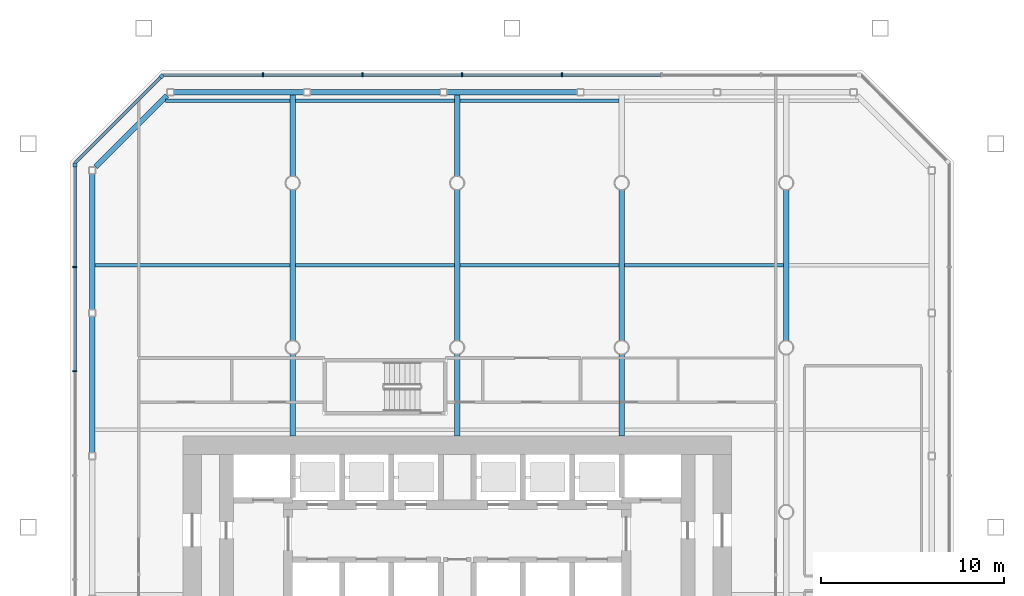
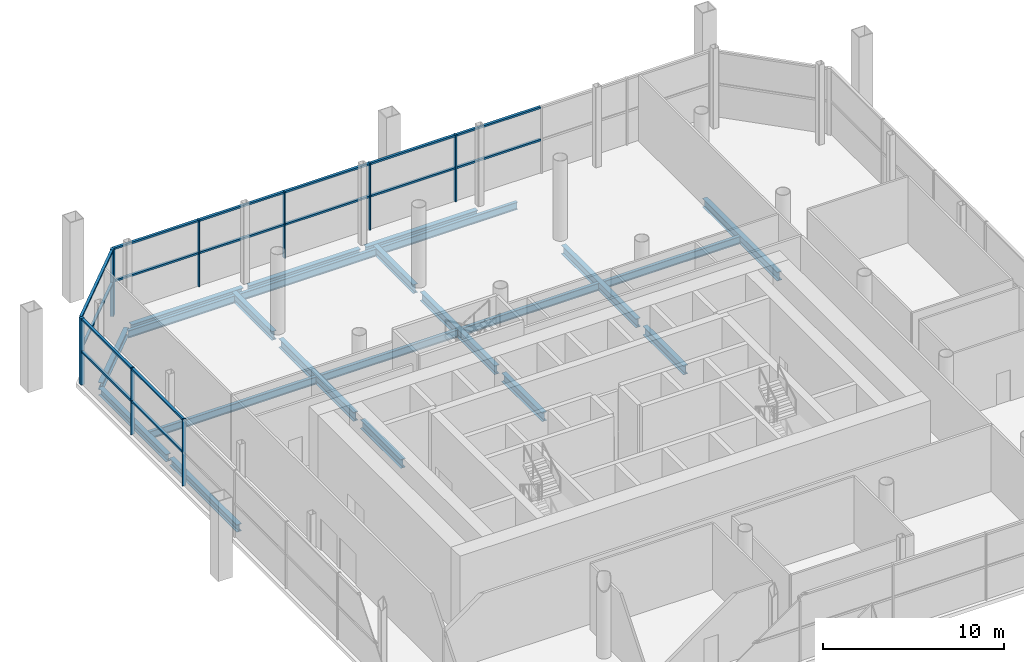
# One storey, part 5 of 13: 24 members, 22 beams, 3 elements without a shape of their own.
"""IFC4 building model written with IfcOpenShell, lengths in metres."""

from ifc_helpers import new_model, si_unit, direction, frame, origin, origin_2d, place, context, subcontext, project, spatial, rectangle, i_section, extrude, material, material_profile, profile_set, type_object, element, aggregate, save


model = new_model("IFC4")

# Units and contexts
model_context = context("Model", 3, precision=1e-05, world=origin(), true_north=direction((0.0, 1.0)))
body_context = subcontext(model_context, "Body", "Model", "MODEL_VIEW")
ifc_project = project(units=[si_unit("LENGTHUNIT", "METRE"), si_unit("AREAUNIT", "SQUARE_METRE"), si_unit("VOLUMEUNIT", "CUBIC_METRE"), si_unit("PLANEANGLEUNIT", "RADIAN"), si_unit("MASSUNIT", "GRAM", prefix="KILO")], contexts=[model_context])

# Site, building, storey
site_placement = place(None, origin())
site = spatial("IfcSite", under=ifc_project, at=site_placement, CompositionType="ELEMENT")
building_placement = place(site_placement, origin())
building = spatial("IfcBuilding", under=site, at=building_placement, Name="Tskaro Facet Tower", CompositionType="ELEMENT")
storey_placement = place(building_placement, frame((0.0, 0.0, 108.89990234375)))
storey = spatial("IfcBuildingStorey", under=building, at=storey_placement, Name="L26", CompositionType="ELEMENT", Elevation=108.89990234375)

# Curtain wall, member
ifc_material_1 = material(Name="Bronze anodised aluminium 6063-T6", Category="aluminium")
curtain_wall_type = type_object("IfcCurtainWallType", Name="Bronze sky lobby curtain wall (FW4)", PredefinedType="NOTDEFINED", material=ifc_material_1)
curtain_wall_1_placement = place(storey_placement, origin())
curtain_wall_1 = element("IfcCurtainWall", 1, at=curtain_wall_1_placement, inside=storey, type_object=curtain_wall_type, Name="FW4 north-west facet L26", PredefinedType="NOTDEFINED")
ifc_material_profile_1 = material_profile(ifc_material_1, rectangle(XDim=0.219970703125, YDim=0.219970703125, at=origin_2d()), Name="Corner post 220x220")
ifc_profile_set_1 = profile_set([ifc_material_profile_1], Name="Bronze anodised aluminium 6063-T6")
member_type_1 = type_object("IfcMemberType", Name="FW4 bronze corner post 220x220", PredefinedType="MULLION", material=ifc_profile_set_1)
member_1_placement = place(storey_placement, frame((-16.160888671875, 23.837158203125, 0.0), z_axis=(0.0, 0.0, 1.0), x_axis=(-0.707106781187, -0.707106781187, 0.0)))
member_1 = element("IfcMember", 2, at=member_1_placement, type_object=member_type_1, Name="FW4 north-west corner post", PredefinedType="MULLION", context=body_context, shape_type="SweptSolid", body=[
    extrude(rectangle(XDim=0.219970703125, YDim=0.219970703125, at=origin_2d()), origin(), (0.0, 0.0, 1.0), 4.489990234375),
])

curtain_wall_2_placement = place(storey_placement, origin())
curtain_wall_2 = element("IfcCurtainWall", 3, at=curtain_wall_2_placement, inside=storey, type_object=curtain_wall_type, Name="FW4 west facet L26", PredefinedType="NOTDEFINED")
member_2_placement = place(storey_placement, frame((-20.9150390625, 18.972900390625, 0.0), z_axis=(0.0, 0.0, 1.0), x_axis=(0.0, -1.0, 0.0)))
member_2 = element("IfcMember", 4, at=member_2_placement, type_object=member_type_1, Name="FW4 west corner post", PredefinedType="MULLION", context=body_context, shape_type="SweptSolid", body=[
    extrude(rectangle(XDim=0.219970703125, YDim=0.219970703125, at=origin_2d()), origin(), (0.0, 0.0, 1.0), 4.489990234375),
])

# Curtain wall, members
curtain_wall_3_placement = place(storey_placement, origin())
curtain_wall_3 = element("IfcCurtainWall", 5, at=curtain_wall_3_placement, inside=storey, type_object=curtain_wall_type, Name="FW4 north facet L26", PredefinedType="NOTDEFINED")
ifc_material_profile_2 = material_profile(ifc_material_1, rectangle(XDim=0.080078125, YDim=0.219970703125, at=origin_2d()), Name="Mullion 80x220")
ifc_profile_set_2 = profile_set([ifc_material_profile_2], Name="Bronze anodised aluminium 6063-T6")
member_type_2 = type_object("IfcMemberType", Name="FW4 bronze mullion 80x220", PredefinedType="MULLION", material=ifc_profile_set_2)
member_3_placement = place(storey_placement, frame((5.72607421875, 23.9150390625, 0.0), z_axis=(0.0, 0.0, 1.0), x_axis=(-1.0, 0.0, 0.0)))
member_3 = element("IfcMember", 6, at=member_3_placement, type_object=member_type_2, Name="FW4 north mullion 3", PredefinedType="MULLION", context=body_context, shape_type="SweptSolid", body=[
    extrude(rectangle(XDim=0.080078125, YDim=0.219970703125, at=origin_2d()), origin(), (0.0, 0.0, 1.0), 4.489990234375),
])
member_4_placement = place(storey_placement, frame((0.27392578125, 23.9150390625, 0.0), z_axis=(0.0, 0.0, 1.0), x_axis=(-1.0, 0.0, 0.0)))
member_4 = element("IfcMember", 7, at=member_4_placement, type_object=member_type_2, Name="FW4 north mullion 4", PredefinedType="MULLION", context=body_context, shape_type="SweptSolid", body=[
    extrude(rectangle(XDim=0.080078125, YDim=0.219970703125, at=origin_2d()), origin(), (0.0, 0.0, 1.0), 4.489990234375),
])
member_5_placement = place(storey_placement, frame((-5.178466796875, 23.9150390625, 0.0), z_axis=(0.0, 0.0, 1.0), x_axis=(-1.0, 0.0, 0.0)))
member_5 = element("IfcMember", 8, at=member_5_placement, type_object=member_type_2, Name="FW4 north mullion 5", PredefinedType="MULLION", context=body_context, shape_type="SweptSolid", body=[
    extrude(rectangle(XDim=0.080078125, YDim=0.219970703125, at=origin_2d()), origin(), (0.0, 0.0, 1.0), 4.489990234375),
])
member_6_placement = place(storey_placement, frame((-10.630615234375, 23.9150390625, 0.0), z_axis=(0.0, 0.0, 1.0), x_axis=(-1.0, 0.0, 0.0)))
member_6 = element("IfcMember", 9, at=member_6_placement, type_object=member_type_2, Name="FW4 north mullion 6", PredefinedType="MULLION", context=body_context, shape_type="SweptSolid", body=[
    extrude(rectangle(XDim=0.080078125, YDim=0.219970703125, at=origin_2d()), origin(), (0.0, 0.0, 1.0), 4.489990234375),
])

# Member
member_7_placement = place(storey_placement, frame((-20.9150390625, 13.3916015625, 0.0), z_axis=(0.0, 0.0, 1.0), x_axis=(0.0, -1.0, 0.0)))
member_7 = element("IfcMember", 10, at=member_7_placement, type_object=member_type_2, Name="FW4 west mullion 1", PredefinedType="MULLION", context=body_context, shape_type="SweptSolid", body=[
    extrude(rectangle(XDim=0.080078125, YDim=0.219970703125, at=origin_2d()), origin(), (0.0, 0.0, 1.0), 4.489990234375),
])

member_8_placement = place(storey_placement, frame((-20.9150390625, 7.7001953125, 0.0), z_axis=(0.0, 0.0, 1.0), x_axis=(0.0, -1.0, 0.0)))
member_8 = element("IfcMember", 11, at=member_8_placement, type_object=member_type_2, Name="FW4 west mullion 2", PredefinedType="MULLION", context=body_context, shape_type="SweptSolid", body=[
    extrude(rectangle(XDim=0.080078125, YDim=0.219970703125, at=origin_2d()), origin(), (0.0, 0.0, 1.0), 4.489990234375),
])

ifc_material_profile_3 = material_profile(ifc_material_1, rectangle(XDim=0.159912109375, YDim=0.1201171875, at=origin_2d()), Name="Transom 160x120")
ifc_profile_set_3 = profile_set([ifc_material_profile_3], Name="Bronze anodised aluminium 6063-T6")
member_type_3 = type_object("IfcMemberType", Name="FW4 bronze transom 160x120", PredefinedType="USERDEFINED", material=ifc_profile_set_3)
member_9_placement = place(storey_placement, frame((11.138427734375, 23.9150390625, 2.2451171875), z_axis=(-1.0, 0.0, 0.0), x_axis=(0.0, -1.0, 0.0)))
member_9 = element("IfcMember", 12, at=member_9_placement, type_object=member_type_3, Name="FW4 north transom 3.1", ObjectType="TRANSOM", PredefinedType="USERDEFINED", context=body_context, shape_type="SweptSolid", body=[
    extrude(rectangle(XDim=0.159912109375, YDim=0.1201171875, at=origin_2d()), origin(), (0.0, 0.0, 1.0), 5.372314453125),
])

member_10_placement = place(storey_placement, frame((11.138427734375, 23.9150390625, 4.43017578125), z_axis=(-1.0, 0.0, 0.0), x_axis=(0.0, -1.0, 0.0)))
member_10 = element("IfcMember", 13, at=member_10_placement, type_object=member_type_3, Name="FW4 north transom 3.2", ObjectType="TRANSOM", PredefinedType="USERDEFINED", context=body_context, shape_type="SweptSolid", body=[
    extrude(rectangle(XDim=0.159912109375, YDim=0.1201171875, at=origin_2d()), origin(), (0.0, 0.0, 1.0), 5.372314453125),
])

member_11_placement = place(storey_placement, frame((5.68603515625, 23.9150390625, 2.2451171875), z_axis=(-1.0, 0.0, 0.0), x_axis=(0.0, -1.0, 0.0)))
member_11 = element("IfcMember", 14, at=member_11_placement, type_object=member_type_3, Name="FW4 north transom 4.1", ObjectType="TRANSOM", PredefinedType="USERDEFINED", context=body_context, shape_type="SweptSolid", body=[
    extrude(rectangle(XDim=0.159912109375, YDim=0.1201171875, at=origin_2d()), origin(), (0.0, 0.0, 1.0), 5.3720703125),
])

member_12_placement = place(storey_placement, frame((5.68603515625, 23.9150390625, 4.43017578125), z_axis=(-1.0, 0.0, 0.0), x_axis=(0.0, -1.0, 0.0)))
member_12 = element("IfcMember", 15, at=member_12_placement, type_object=member_type_3, Name="FW4 north transom 4.2", ObjectType="TRANSOM", PredefinedType="USERDEFINED", context=body_context, shape_type="SweptSolid", body=[
    extrude(rectangle(XDim=0.159912109375, YDim=0.1201171875, at=origin_2d()), origin(), (0.0, 0.0, 1.0), 5.3720703125),
])

member_13_placement = place(storey_placement, frame((0.23388671875, 23.9150390625, 2.2451171875), z_axis=(-1.0, 0.0, 0.0), x_axis=(0.0, -1.0, 0.0)))
member_13 = element("IfcMember", 16, at=member_13_placement, type_object=member_type_3, Name="FW4 north transom 5.1", ObjectType="TRANSOM", PredefinedType="USERDEFINED", context=body_context, shape_type="SweptSolid", body=[
    extrude(rectangle(XDim=0.159912109375, YDim=0.1201171875, at=origin_2d()), origin(), (0.0, 0.0, 1.0), 5.372314453125),
])

member_14_placement = place(storey_placement, frame((0.23388671875, 23.9150390625, 4.43017578125), z_axis=(-1.0, 0.0, 0.0), x_axis=(0.0, -1.0, 0.0)))
member_14 = element("IfcMember", 17, at=member_14_placement, type_object=member_type_3, Name="FW4 north transom 5.2", ObjectType="TRANSOM", PredefinedType="USERDEFINED", context=body_context, shape_type="SweptSolid", body=[
    extrude(rectangle(XDim=0.159912109375, YDim=0.1201171875, at=origin_2d()), origin(), (0.0, 0.0, 1.0), 5.372314453125),
])

member_15_placement = place(storey_placement, frame((-5.218505859375, 23.9150390625, 2.2451171875), z_axis=(-1.0, 0.0, 0.0), x_axis=(0.0, -1.0, 0.0)))
member_15 = element("IfcMember", 18, at=member_15_placement, type_object=member_type_3, Name="FW4 north transom 6.1", ObjectType="TRANSOM", PredefinedType="USERDEFINED", context=body_context, shape_type="SweptSolid", body=[
    extrude(rectangle(XDim=0.159912109375, YDim=0.1201171875, at=origin_2d()), origin(), (0.0, 0.0, 1.0), 5.372314453125),
])

member_16_placement = place(storey_placement, frame((-5.218505859375, 23.9150390625, 4.43017578125), z_axis=(-1.0, 0.0, 0.0), x_axis=(0.0, -1.0, 0.0)))
member_16 = element("IfcMember", 19, at=member_16_placement, type_object=member_type_3, Name="FW4 north transom 6.2", ObjectType="TRANSOM", PredefinedType="USERDEFINED", context=body_context, shape_type="SweptSolid", body=[
    extrude(rectangle(XDim=0.159912109375, YDim=0.1201171875, at=origin_2d()), origin(), (0.0, 0.0, 1.0), 5.372314453125),
])

member_17_placement = place(storey_placement, frame((-10.670654296875, 23.9150390625, 2.2451171875), z_axis=(-1.0, 0.0, 0.0), x_axis=(0.0, -1.0, 0.0)))
member_17 = element("IfcMember", 20, at=member_17_placement, type_object=member_type_3, Name="FW4 north transom 7.1", ObjectType="TRANSOM", PredefinedType="USERDEFINED", context=body_context, shape_type="SweptSolid", body=[
    extrude(rectangle(XDim=0.159912109375, YDim=0.1201171875, at=origin_2d()), origin(), (0.0, 0.0, 1.0), 5.412353515625),
])

member_18_placement = place(storey_placement, frame((-10.670654296875, 23.9150390625, 4.43017578125), z_axis=(-1.0, 0.0, 0.0), x_axis=(0.0, -1.0, 0.0)))
member_18 = element("IfcMember", 21, at=member_18_placement, type_object=member_type_3, Name="FW4 north transom 7.2", ObjectType="TRANSOM", PredefinedType="USERDEFINED", context=body_context, shape_type="SweptSolid", body=[
    extrude(rectangle(XDim=0.159912109375, YDim=0.1201171875, at=origin_2d()), origin(), (0.0, 0.0, 1.0), 5.412353515625),
])

aggregate(curtain_wall_3, [member_3, member_4, member_5, member_6, member_9, member_10, member_11, member_12, member_13, member_14, member_15, member_16, member_17, member_18])

member_19_placement = place(storey_placement, frame((-16.238525390625, 23.759521484375, 2.2451171875), z_axis=(-0.707106781187, -0.707106781187, 0.0), x_axis=(0.707106781187, -0.707106781187, 0.0)))
member_19 = element("IfcMember", 22, at=member_19_placement, type_object=member_type_3, Name="FW4 north-west transom 1.1", ObjectType="TRANSOM", PredefinedType="USERDEFINED", context=body_context, shape_type="SweptSolid", body=[
    extrude(rectangle(XDim=0.159912109375, YDim=0.1201171875, at=origin_2d()), origin(), (0.0, 0.0, 1.0), 6.613525390625),
])

member_20_placement = place(storey_placement, frame((-16.238525390625, 23.759521484375, 4.43017578125), z_axis=(-0.707106781187, -0.707106781187, 0.0), x_axis=(0.707106781187, -0.707106781187, 0.0)))
member_20 = element("IfcMember", 23, at=member_20_placement, type_object=member_type_3, Name="FW4 north-west transom 1.2", ObjectType="TRANSOM", PredefinedType="USERDEFINED", context=body_context, shape_type="SweptSolid", body=[
    extrude(rectangle(XDim=0.159912109375, YDim=0.1201171875, at=origin_2d()), origin(), (0.0, 0.0, 1.0), 6.613525390625),
])

aggregate(curtain_wall_1, [member_1, member_19, member_20])

member_21_placement = place(storey_placement, frame((-20.9150390625, 18.863037109375, 2.2451171875), z_axis=(0.0, -1.0, 0.0), x_axis=(1.0, 0.0, 0.0)))
member_21 = element("IfcMember", 24, at=member_21_placement, type_object=member_type_3, Name="FW4 west transom 1.1", ObjectType="TRANSOM", PredefinedType="USERDEFINED", context=body_context, shape_type="SweptSolid", body=[
    extrude(rectangle(XDim=0.159912109375, YDim=0.1201171875, at=origin_2d()), origin(), (0.0, 0.0, 1.0), 5.431396484375),
])

member_22_placement = place(storey_placement, frame((-20.9150390625, 18.863037109375, 4.43017578125), z_axis=(0.0, -1.0, 0.0), x_axis=(1.0, 0.0, 0.0)))
member_22 = element("IfcMember", 25, at=member_22_placement, type_object=member_type_3, Name="FW4 west transom 1.2", ObjectType="TRANSOM", PredefinedType="USERDEFINED", context=body_context, shape_type="SweptSolid", body=[
    extrude(rectangle(XDim=0.159912109375, YDim=0.1201171875, at=origin_2d()), origin(), (0.0, 0.0, 1.0), 5.431396484375),
])

member_23_placement = place(storey_placement, frame((-20.9150390625, 13.3515625, 2.2451171875), z_axis=(0.0, -1.0, 0.0), x_axis=(1.0, 0.0, 0.0)))
member_23 = element("IfcMember", 26, at=member_23_placement, type_object=member_type_3, Name="FW4 west transom 2.1", ObjectType="TRANSOM", PredefinedType="USERDEFINED", context=body_context, shape_type="SweptSolid", body=[
    extrude(rectangle(XDim=0.159912109375, YDim=0.1201171875, at=origin_2d()), origin(), (0.0, 0.0, 1.0), 5.611328125),
])

member_24_placement = place(storey_placement, frame((-20.9150390625, 13.3515625, 4.43017578125), z_axis=(0.0, -1.0, 0.0), x_axis=(1.0, 0.0, 0.0)))
member_24 = element("IfcMember", 27, at=member_24_placement, type_object=member_type_3, Name="FW4 west transom 2.2", ObjectType="TRANSOM", PredefinedType="USERDEFINED", context=body_context, shape_type="SweptSolid", body=[
    extrude(rectangle(XDim=0.159912109375, YDim=0.1201171875, at=origin_2d()), origin(), (0.0, 0.0, 1.0), 5.611328125),
])

aggregate(curtain_wall_2, [member_2, member_7, member_8, member_21, member_22, member_23, member_24])

# Beams
ifc_material_2 = material(Name="Steel S355J2", Category="steel")
ifc_material_profile_4 = material_profile(ifc_material_2, i_section(OverallWidth=0.300048828125, OverallDepth=0.5, WebThickness=0.014404296875, FlangeThickness=0.028076171875, FilletRadius=0.027099609375, at=origin_2d()), Name="HE 500 B")
ifc_profile_set_4 = profile_set([ifc_material_profile_4], Name="Steel S355J2")
beam_type_1 = type_object("IfcBeamType", Name="HE 500 B ring beam", PredefinedType="BEAM", material=ifc_profile_set_4)
beam_1_placement = place(storey_placement, frame((6.55810546875, 22.965087890625, -0.5), z_axis=(-1.0, 0.0, 0.0), x_axis=(0.0, -1.0, 0.0)))
element("IfcBeam", 28, at=beam_1_placement, inside=storey, type_object=beam_type_1, Name="HE 500 B EB15-2", PredefinedType="BEAM", context=body_context, shape_type="SweptSolid", body=[
    extrude(i_section(OverallWidth=0.300048828125, OverallDepth=0.5, WebThickness=0.014404296875, FlangeThickness=0.028076171875, FilletRadius=0.027099609375, at=origin_2d()), origin(), (0.0, 0.0, 1.0), 7.1162109375),
])
for number, where, z_axis, x_axis, name in (
    (29, (-0.91796875, 22.965087890625, -0.5), (-1.0, 0.0, 0.0), (0.0, -1.0, 0.0), "HE 500 B EB16-2"),
    (30, (-8.39404296875, 22.965087890625, -0.5), (-1.0, 0.0, 0.0), (0.0, -1.0, 0.0), "HE 500 B EB17-2"),
):
    element("IfcBeam", number, at=place(storey_placement, frame(where, z_axis=z_axis, x_axis=x_axis)), inside=storey, type_object=beam_type_1, Name=name, PredefinedType="BEAM", context=body_context, shape_type="SweptSolid", body=[
        extrude(i_section(OverallWidth=0.300048828125, OverallDepth=0.5, WebThickness=0.014404296875, FlangeThickness=0.028076171875, FilletRadius=0.027099609375, at=origin_2d()), origin(), (0.0, 0.0, 1.0), 7.115966796875),
    ])
beam_2_placement = place(storey_placement, frame((-15.8759765625, 22.779052734375, -0.5), z_axis=(-0.707106781187, -0.707106781187, 0.0), x_axis=(0.707106781187, -0.707106781187, 0.0)))
element("IfcBeam", 31, at=beam_2_placement, inside=storey, type_object=beam_type_1, Name="HE 500 B EB18-2", PredefinedType="BEAM", context=body_context, shape_type="SweptSolid", body=[
    extrude(i_section(OverallWidth=0.300048828125, OverallDepth=0.5, WebThickness=0.014404296875, FlangeThickness=0.028076171875, FilletRadius=0.027099609375, at=origin_2d()), origin(), (0.0, 0.0, 1.0), 5.519775390625),
])
for number, where, z_axis, x_axis, name in (
    (32, (-19.965087890625, 18.510009765625, -0.5), (0.0, -1.0, 0.0), (1.0, 0.0, 0.0), "HE 500 B EB19-2"),
    (33, (-19.965087890625, 10.698974609375, -0.5), (0.0, -1.0, 0.0), (1.0, 0.0, 0.0), "HE 500 B EB20-2"),
):
    element("IfcBeam", number, at=place(storey_placement, frame(where, z_axis=z_axis, x_axis=x_axis)), inside=storey, type_object=beam_type_1, Name=name, PredefinedType="BEAM", context=body_context, shape_type="SweptSolid", body=[
        extrude(i_section(OverallWidth=0.300048828125, OverallDepth=0.5, WebThickness=0.014404296875, FlangeThickness=0.028076171875, FilletRadius=0.027099609375, at=origin_2d()), origin(), (0.0, 0.0, 1.0), 7.450927734375),
    ])
ifc_material_profile_5 = material_profile(ifc_material_2, i_section(OverallWidth=0.300048828125, OverallDepth=0.590087890625, WebThickness=0.012939453125, FlangeThickness=0.02490234375, FilletRadius=0.027099609375, at=origin_2d()), Name="HE 600 A")
ifc_profile_set_5 = profile_set([ifc_material_profile_5], Name="Steel S355J2")
beam_type_2 = type_object("IfcBeamType", Name="HE 600 A girder", PredefinedType="BEAM", material=ifc_profile_set_5)
beam_3_placement = place(storey_placement, frame((-9.0, 4.14990234375, -0.544921875), z_axis=(0.0, 1.0, 0.0), x_axis=(-1.0, 0.0, 0.0)))
element("IfcBeam", 34, at=beam_3_placement, inside=storey, type_object=beam_type_2, Name="HE 600 A GB3-3-2", PredefinedType="BEAM", context=body_context, shape_type="SweptSolid", body=[
    extrude(i_section(OverallWidth=0.300048828125, OverallDepth=0.590087890625, WebThickness=0.012939453125, FlangeThickness=0.02490234375, FilletRadius=0.027099609375, at=origin_2d()), origin(), (0.0, 0.0, 1.0), 4.4736328125),
])
beam_4_placement = place(storey_placement, frame((-9.0, 9.37646484375, -0.544921875), z_axis=(0.0, 1.0, 0.0), x_axis=(-1.0, 0.0, 0.0)))
element("IfcBeam", 35, at=beam_4_placement, inside=storey, type_object=beam_type_2, Name="HE 600 A GB3-4-2", PredefinedType="BEAM", context=body_context, shape_type="SweptSolid", body=[
    extrude(i_section(OverallWidth=0.300048828125, OverallDepth=0.590087890625, WebThickness=0.012939453125, FlangeThickness=0.02490234375, FilletRadius=0.027099609375, at=origin_2d()), origin(), (0.0, 0.0, 1.0), 8.2470703125),
])
beam_5_placement = place(storey_placement, frame((-9.0, 18.37646484375, -0.544921875), z_axis=(0.0, 1.0, 0.0), x_axis=(-1.0, 0.0, 0.0)))
element("IfcBeam", 36, at=beam_5_placement, inside=storey, type_object=beam_type_2, Name="HE 600 A GB3-5-2", PredefinedType="BEAM", context=body_context, shape_type="SweptSolid", body=[
    extrude(i_section(OverallWidth=0.300048828125, OverallDepth=0.590087890625, WebThickness=0.012939453125, FlangeThickness=0.02490234375, FilletRadius=0.027099609375, at=origin_2d()), origin(), (0.0, 0.0, 1.0), 4.4384765625),
])
beam_6_placement = place(storey_placement, frame((0.0, 4.14990234375, -0.544921875), z_axis=(0.0, 1.0, 0.0), x_axis=(-1.0, 0.0, 0.0)))
element("IfcBeam", 37, at=beam_6_placement, inside=storey, type_object=beam_type_2, Name="HE 600 A GB4-3-2", PredefinedType="BEAM", context=body_context, shape_type="SweptSolid", body=[
    extrude(i_section(OverallWidth=0.300048828125, OverallDepth=0.590087890625, WebThickness=0.012939453125, FlangeThickness=0.02490234375, FilletRadius=0.027099609375, at=origin_2d()), origin(), (0.0, 0.0, 1.0), 4.4736328125),
])
beam_7_placement = place(storey_placement, frame((0.0, 9.37646484375, -0.544921875), z_axis=(0.0, 1.0, 0.0), x_axis=(-1.0, 0.0, 0.0)))
element("IfcBeam", 38, at=beam_7_placement, inside=storey, type_object=beam_type_2, Name="HE 600 A GB4-4-2", PredefinedType="BEAM", context=body_context, shape_type="SweptSolid", body=[
    extrude(i_section(OverallWidth=0.300048828125, OverallDepth=0.590087890625, WebThickness=0.012939453125, FlangeThickness=0.02490234375, FilletRadius=0.027099609375, at=origin_2d()), origin(), (0.0, 0.0, 1.0), 8.2470703125),
])
beam_8_placement = place(storey_placement, frame((0.0, 18.37646484375, -0.544921875), z_axis=(0.0, 1.0, 0.0), x_axis=(-1.0, 0.0, 0.0)))
element("IfcBeam", 39, at=beam_8_placement, inside=storey, type_object=beam_type_2, Name="HE 600 A GB4-5-2", PredefinedType="BEAM", context=body_context, shape_type="SweptSolid", body=[
    extrude(i_section(OverallWidth=0.300048828125, OverallDepth=0.590087890625, WebThickness=0.012939453125, FlangeThickness=0.02490234375, FilletRadius=0.027099609375, at=origin_2d()), origin(), (0.0, 0.0, 1.0), 4.4384765625),
])
beam_9_placement = place(storey_placement, frame((9.0, 4.14990234375, -0.544921875), z_axis=(0.0, 1.0, 0.0), x_axis=(-1.0, 0.0, 0.0)))
element("IfcBeam", 40, at=beam_9_placement, inside=storey, type_object=beam_type_2, Name="HE 600 A GB5-3-2", PredefinedType="BEAM", context=body_context, shape_type="SweptSolid", body=[
    extrude(i_section(OverallWidth=0.300048828125, OverallDepth=0.590087890625, WebThickness=0.012939453125, FlangeThickness=0.02490234375, FilletRadius=0.027099609375, at=origin_2d()), origin(), (0.0, 0.0, 1.0), 4.4736328125),
])
for number, where, z_axis, x_axis, name in (
    (41, (9.0, 9.37646484375, -0.544921875), (0.0, 1.0, 0.0), (-1.0, 0.0, 0.0), "HE 600 A GB5-4-2"),
    (42, (18.0, 9.37646484375, -0.544921875), (0.0, 1.0, 0.0), (-1.0, 0.0, 0.0), "HE 600 A GB6-5-2"),
):
    element("IfcBeam", number, at=place(storey_placement, frame(where, z_axis=z_axis, x_axis=x_axis)), inside=storey, type_object=beam_type_2, Name=name, PredefinedType="BEAM", context=body_context, shape_type="SweptSolid", body=[
        extrude(i_section(OverallWidth=0.300048828125, OverallDepth=0.590087890625, WebThickness=0.012939453125, FlangeThickness=0.02490234375, FilletRadius=0.027099609375, at=origin_2d()), origin(), (0.0, 0.0, 1.0), 8.2470703125),
    ])
ifc_material_profile_6 = material_profile(ifc_material_2, i_section(OverallWidth=0.199951171875, OverallDepth=0.5, WebThickness=0.01025390625, FlangeThickness=0.01611328125, FilletRadius=0.02099609375, at=origin_2d()), Name="IPE 500")
ifc_profile_set_6 = profile_set([ifc_material_profile_6], Name="Steel S355J2")
beam_type_3 = type_object("IfcBeamType", Name="IPE 500 secondary beam", PredefinedType="BEAM", material=ifc_profile_set_6)
beam_10_placement = place(storey_placement, frame((-19.81494140625, 13.5, -0.5), z_axis=(1.0, 0.0, 0.0), x_axis=(0.0, 1.0, 0.0)))
element("IfcBeam", 43, at=beam_10_placement, inside=storey, type_object=beam_type_3, Name="IPE 500 SB5a-1-2", PredefinedType="BEAM", context=body_context, shape_type="SweptSolid", body=[
    extrude(i_section(OverallWidth=0.199951171875, OverallDepth=0.5, WebThickness=0.01025390625, FlangeThickness=0.01611328125, FilletRadius=0.02099609375, at=origin_2d()), origin(), (0.0, 0.0, 1.0), 10.6650390625),
])
for number, where, z_axis, x_axis, name in (
    (44, (-8.85009765625, 13.5, -0.5), (1.0, 0.0, 0.0), (0.0, 1.0, 0.0), "IPE 500 SB5a-2-2"),
    (45, (0.14990234375, 13.5, -0.5), (1.0, 0.0, 0.0), (0.0, 1.0, 0.0), "IPE 500 SB5a-3-2"),
    (46, (9.14990234375, 13.5, -0.5), (1.0, 0.0, 0.0), (0.0, 1.0, 0.0), "IPE 500 SB5a-4-2"),
):
    element("IfcBeam", number, at=place(storey_placement, frame(where, z_axis=z_axis, x_axis=x_axis)), inside=storey, type_object=beam_type_3, Name=name, PredefinedType="BEAM", context=body_context, shape_type="SweptSolid", body=[
        extrude(i_section(OverallWidth=0.199951171875, OverallDepth=0.5, WebThickness=0.01025390625, FlangeThickness=0.01611328125, FilletRadius=0.02099609375, at=origin_2d()), origin(), (0.0, 0.0, 1.0), 8.7001953125),
    ])
beam_11_placement = place(storey_placement, frame((-15.943115234375, 22.5, -0.5), z_axis=(1.0, 0.0, 0.0), x_axis=(0.0, 1.0, 0.0)))
element("IfcBeam", 47, at=beam_11_placement, inside=storey, type_object=beam_type_3, Name="IPE 500 SB6a-1-2", PredefinedType="BEAM", context=body_context, shape_type="SweptSolid", body=[
    extrude(i_section(OverallWidth=0.199951171875, OverallDepth=0.5, WebThickness=0.01025390625, FlangeThickness=0.01611328125, FilletRadius=0.02099609375, at=origin_2d()), origin(), (0.0, 0.0, 1.0), 6.793212890625),
])
for number, where, z_axis, x_axis, name in (
    (48, (-8.85009765625, 22.5, -0.5), (1.0, 0.0, 0.0), (0.0, 1.0, 0.0), "IPE 500 SB6a-2-2"),
    (49, (0.14990234375, 22.5, -0.5), (1.0, 0.0, 0.0), (0.0, 1.0, 0.0), "IPE 500 SB6a-3-2"),
):
    element("IfcBeam", number, at=place(storey_placement, frame(where, z_axis=z_axis, x_axis=x_axis)), inside=storey, type_object=beam_type_3, Name=name, PredefinedType="BEAM", context=body_context, shape_type="SweptSolid", body=[
        extrude(i_section(OverallWidth=0.199951171875, OverallDepth=0.5, WebThickness=0.01025390625, FlangeThickness=0.01611328125, FilletRadius=0.02099609375, at=origin_2d()), origin(), (0.0, 0.0, 1.0), 8.7001953125),
    ])

save(model, "model.ifc")
